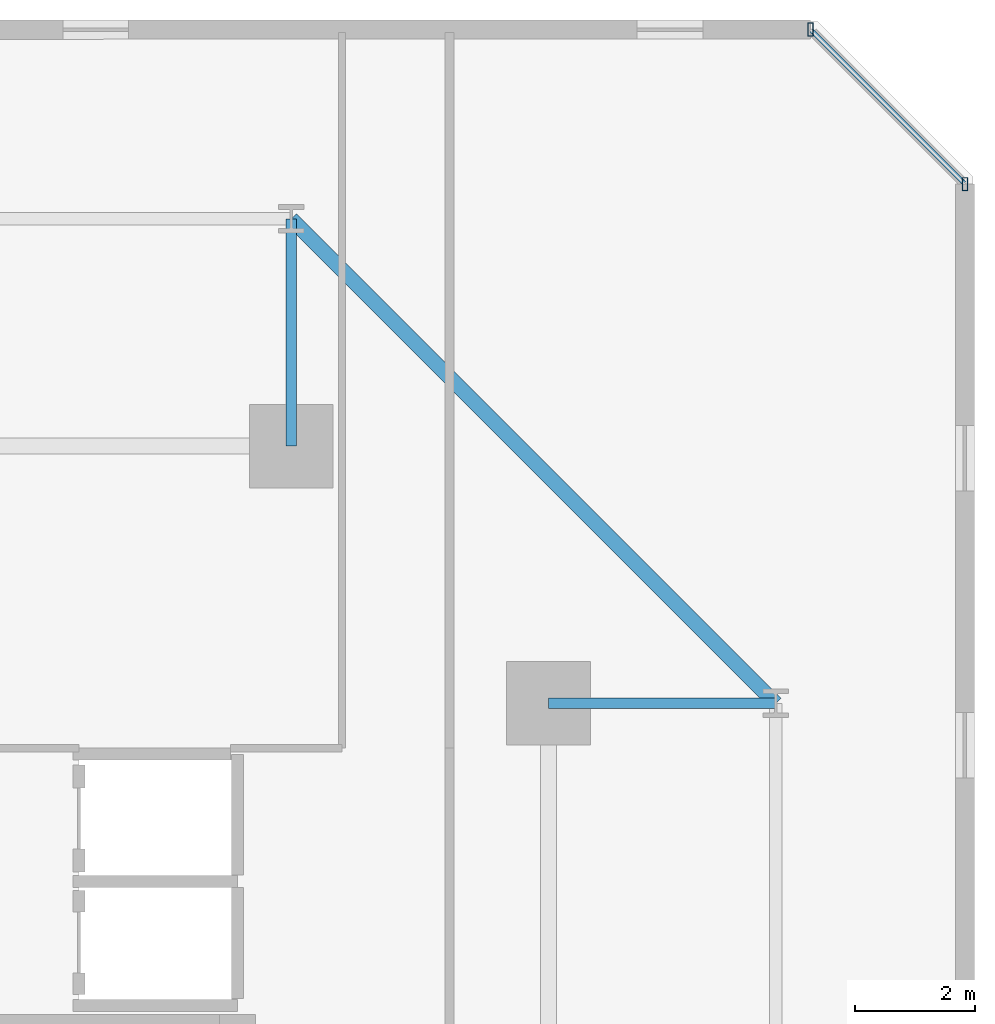
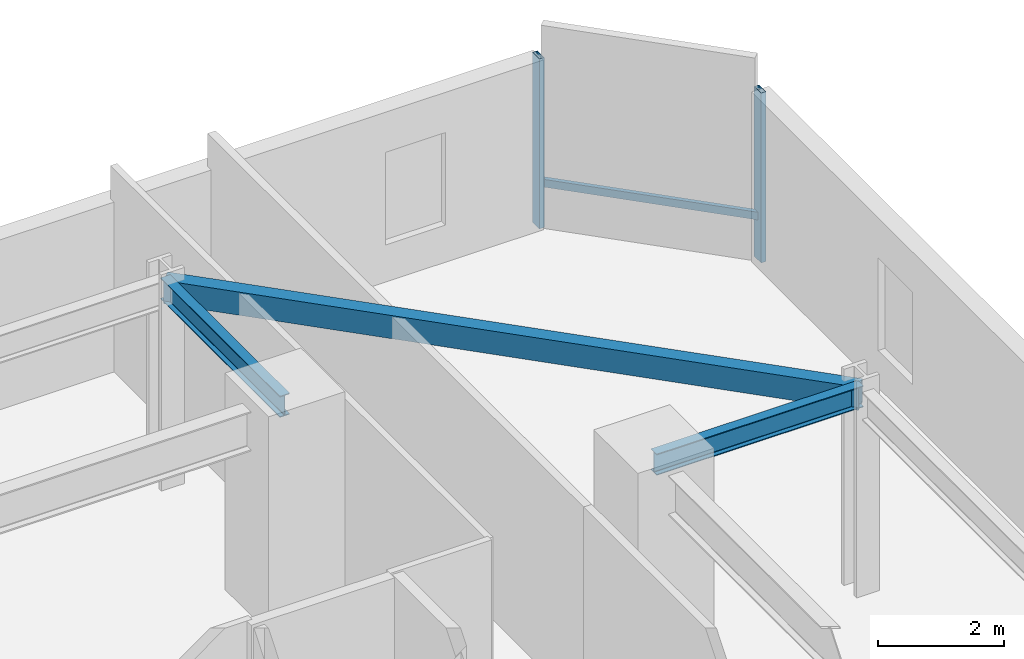
# One storey, part 17 of 33: 3 beams, 3 members, 1 element without a shape of its own.
"""IFC4 building model written with IfcOpenShell, lengths in metres."""

from ifc_helpers import new_model, si_unit, direction, frame, origin, origin_2d, place, context, subcontext, project, spatial, hollow_rectangle, i_section, extrude, material, material_profile, profile_set, type_object, element, aggregate, save


model = new_model("IFC4")

# Units and contexts
model_context = context("Model", 3, precision=1e-05, world=origin(), true_north=direction((0.0, 1.0)))
body_context = subcontext(model_context, "Body", "Model", "MODEL_VIEW")
ifc_project = project(units=[si_unit("LENGTHUNIT", "METRE"), si_unit("AREAUNIT", "SQUARE_METRE"), si_unit("VOLUMEUNIT", "CUBIC_METRE"), si_unit("PLANEANGLEUNIT", "RADIAN"), si_unit("MASSUNIT", "GRAM", prefix="KILO")], contexts=[model_context])

# Site, building, storey
site_placement = place(None, origin())
site = spatial("IfcSite", under=ifc_project, at=site_placement, CompositionType="ELEMENT")
building_placement = place(site_placement, origin())
building = spatial("IfcBuilding", under=site, at=building_placement, Name="Thornwick Lancets Civic Towers", CompositionType="ELEMENT")
storey_placement = place(building_placement, frame((0.0, 0.0, 49.5)))
storey = spatial("IfcBuildingStorey", under=building, at=storey_placement, Name="L12", CompositionType="ELEMENT", Elevation=49.5)

# Beams
ifc_material_1 = material(Name="Steel S355JR", Category="steel")
ifc_material_profile_1 = material_profile(ifc_material_1, i_section(OverallWidth=0.179443359375, OverallDepth=0.412841796875, WebThickness=0.009521484375, FlangeThickness=0.01611328125, FilletRadius=0.01025390625, at=origin_2d()), Name="UKB 406x178x74")
ifc_profile_set_1 = profile_set([ifc_material_profile_1], Name="Steel S355JR")
beam_type_1 = type_object("IfcBeamType", Name="BM_JOIST_406_74", PredefinedType="JOIST", material=ifc_profile_set_1)
for number, where, z_axis, x_axis, name in (
    (1, (105.800048828125, 40.0, 3.753662109375), (1.0, 0.0, 0.0), (0.0, 1.0, 0.0), "BM-RAD-L12-B03"),
    (2, (101.5, 44.300048828125, 3.753662109375), (0.0, 1.0, 0.0), (-1.0, 0.0, 0.0), "BM-RAD-L12-B04"),
):
    element("IfcBeam", number, at=place(storey_placement, frame(where, z_axis=z_axis, x_axis=x_axis)), inside=storey, type_object=beam_type_1, Name=name, PredefinedType="JOIST", context=body_context, shape_type="SweptSolid", body=[
        extrude(i_section(OverallWidth=0.179443359375, OverallDepth=0.412841796875, WebThickness=0.009521484375, FlangeThickness=0.01611328125, FilletRadius=0.01025390625, at=origin_2d()), origin(), (0.0, 0.0, 1.0), 3.800048828125),
    ])
ifc_material_profile_2 = material_profile(ifc_material_1, hollow_rectangle(XDim=0.25, YDim=0.449951171875, WallThickness=0.01611328125, at=origin_2d()), Name="RHS 450x250x16")
ifc_profile_set_2 = profile_set([ifc_material_profile_2], Name="Steel S355JR")
beam_type_2 = type_object("IfcBeamType", Name="BM_RING_RHS450", PredefinedType="BEAM", material=ifc_profile_set_2)
beam_placement = place(storey_placement, frame((109.60009765625, 40.0, 3.735107421875), z_axis=(-0.707106781187, 0.707106781187, 0.0), x_axis=(-0.707106781187, -0.707106781187, 0.0)))
element("IfcBeam", 3, at=beam_placement, inside=storey, type_object=beam_type_2, Name="BM-CHAMF-L12-B-C0", PredefinedType="BEAM", context=body_context, shape_type="SweptSolid", body=[
    extrude(hollow_rectangle(XDim=0.25, YDim=0.449951171875, WallThickness=0.01611328125, at=origin_2d()), origin(), (0.0, 0.0, 1.0), 11.455322265625),
])

# Curtain wall, members
ifc_material_2 = material(Name="Low-zone chamfered-corner unitised glass curtain wall", Category="glass")
curtain_wall_type = type_object("IfcCurtainWallType", Name="CW_SYS_03", PredefinedType="NOTDEFINED", material=ifc_material_2)
curtain_wall_placement = place(storey_placement, origin())
curtain_wall = element("IfcCurtainWall", 4, at=curtain_wall_placement, inside=storey, type_object=curtain_wall_type, Name="L12 Curtain Wall CW-L12-B-E3", PredefinedType="NOTDEFINED")
ifc_material_3 = material(Name="Thermally broken bronze aluminium S355", Category="steel")
ifc_material_profile_3 = material_profile(ifc_material_3, hollow_rectangle(XDim=0.090087890625, YDim=0.219970703125, WallThickness=0.00634765625, at=origin_2d()), Name="RHS 220x90x6.3")
ifc_profile_set_3 = profile_set([ifc_material_profile_3], Name="Thermally broken bronze aluminium S355")
member_type_1 = type_object("IfcMemberType", Name="CW_MUL_220", PredefinedType="MULLION", material=ifc_profile_set_3)
member_1_placement = place(storey_placement, frame((112.764892578125, 48.68115234375, 0.0), z_axis=(0.0, 0.0, 1.0), x_axis=(1.0, 0.0, 0.0)))
member_1 = element("IfcMember", 5, at=member_1_placement, type_object=member_type_1, Name="CW-L12-B-E3 Mullion 0", PredefinedType="MULLION", context=body_context, shape_type="SweptSolid", body=[
    extrude(hollow_rectangle(XDim=0.090087890625, YDim=0.219970703125, WallThickness=0.00634765625, at=origin_2d()), origin(), (0.0, 0.0, 1.0), 3.300048828125),
])
member_2_placement = place(storey_placement, frame((110.18115234375, 51.264892578125, 0.0), z_axis=(0.0, 0.0, 1.0), x_axis=(1.0, 0.0, 0.0)))
member_2 = element("IfcMember", 6, at=member_2_placement, type_object=member_type_1, Name="CW-L12-B-E3 Mullion 1", PredefinedType="MULLION", context=body_context, shape_type="SweptSolid", body=[
    extrude(hollow_rectangle(XDim=0.090087890625, YDim=0.219970703125, WallThickness=0.00634765625, at=origin_2d()), origin(), (0.0, 0.0, 1.0), 3.300048828125),
])
ifc_material_profile_4 = material_profile(ifc_material_3, hollow_rectangle(XDim=0.074951171875, YDim=0.14990234375, WallThickness=0.0048828125, at=origin_2d()), Name="RHS 150x75x5")
ifc_profile_set_4 = profile_set([ifc_material_profile_4], Name="Thermally broken bronze aluminium S355")
member_type_2 = type_object("IfcMemberType", Name="CW_TRN_150", PredefinedType="USERDEFINED", material=ifc_profile_set_4)
member_3_placement = place(storey_placement, frame((112.750732421875, 48.6953125, 0.85009765625), z_axis=(-0.707106781187, 0.707106781187, 0.0), x_axis=(-0.707106781187, -0.707106781187, 0.0)))
member_3 = element("IfcMember", 7, at=member_3_placement, type_object=member_type_2, Name="CW-L12-B-E3 Transom 0", ObjectType="TRANSOM", PredefinedType="USERDEFINED", context=body_context, shape_type="SweptSolid", body=[
    extrude(hollow_rectangle(XDim=0.074951171875, YDim=0.14990234375, WallThickness=0.0048828125, at=origin_2d()), origin(), (0.0, 0.0, 1.0), 3.614013671875),
])
aggregate(curtain_wall, [member_1, member_2, member_3])

save(model, "model.ifc")
